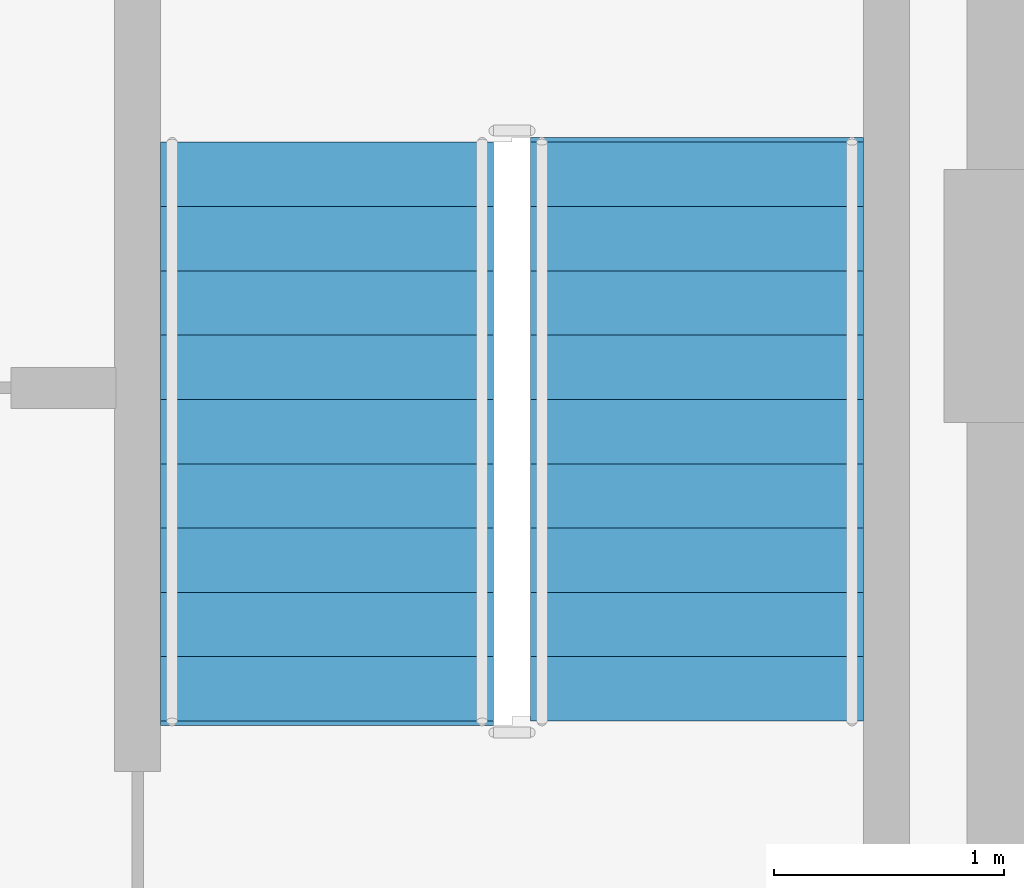
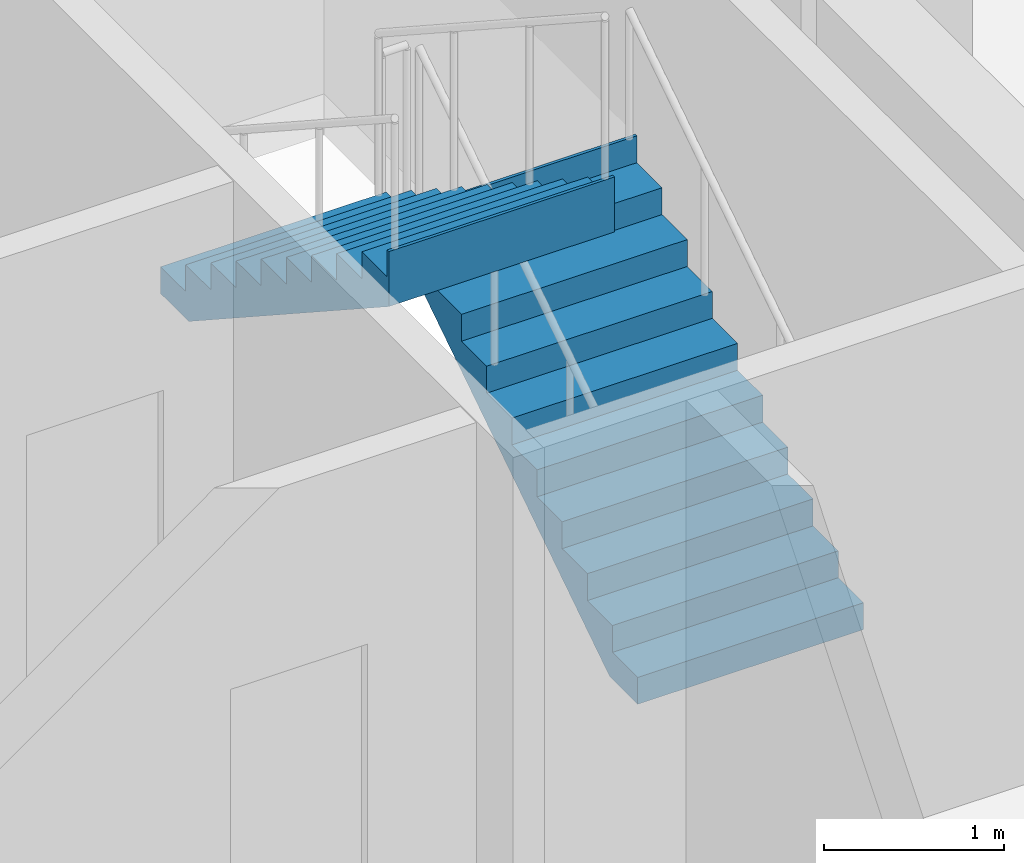
# One storey, part 10 of 14: 2 stair flights, 1 element without a shape of its own.
"""IFC4 building model written with IfcOpenShell, lengths in metres."""

from ifc_helpers import new_model, si_unit, direction, frame, origin, place, context, subcontext, project, spatial, polyline, outline, extrude, material, type_object, element, aggregate, save


model = new_model("IFC4")

# Units and contexts
model_context = context("Model", 3, precision=1e-05, world=origin(), true_north=direction((0.0, 1.0)))
body_context = subcontext(model_context, "Body", "Model", "MODEL_VIEW")
ifc_project = project(units=[si_unit("LENGTHUNIT", "METRE"), si_unit("AREAUNIT", "SQUARE_METRE"), si_unit("VOLUMEUNIT", "CUBIC_METRE"), si_unit("PLANEANGLEUNIT", "RADIAN"), si_unit("MASSUNIT", "GRAM", prefix="KILO")], contexts=[model_context])

# Site, building, storey
site_placement = place(None, origin())
site = spatial("IfcSite", under=ifc_project, at=site_placement, CompositionType="ELEMENT")
building_placement = place(site_placement, origin())
building = spatial("IfcBuilding", under=site, at=building_placement, Name="Nuvemarco Arch Tower", CompositionType="ELEMENT")
storey_placement = place(building_placement, frame((0.0, 0.0, 67.75)))
storey = spatial("IfcBuildingStorey", under=building, at=storey_placement, Name="L17", CompositionType="ELEMENT", Elevation=67.75)

# Stair, stair flights
ifc_material = material(Name="Precast concrete C45/55", Category="concrete")
stair_type = type_object("IfcStairType", Name="ST-CORE-20R", PredefinedType="HALF_TURN_STAIR", material=ifc_material)
stair_placement = place(storey_placement, origin())
stair = element("IfcStair", 1, at=stair_placement, inside=storey, type_object=stair_type, Name="L17 Protected Exit Stair ST-2", PredefinedType="HALF_TURN_STAIR")
stair_flight_type = type_object("IfcStairFlightType", Name="SF-CORE-20R", PredefinedType="STRAIGHT", material=ifc_material)
stair_flight_1_placement = place(storey_placement, frame((15.875, 2.64990234375, 0.0), z_axis=(0.0, 0.0, 1.0), x_axis=(0.0, 1.0, 0.0)))
stair_flight_1 = element("IfcStairFlight", 2, at=stair_flight_1_placement, type_object=stair_flight_type, Name="ST-20R flight 1", NumberOfRisers=10, NumberOfTreads=9, PredefinedType="STRAIGHT", RiserHeight=0.1825, TreadLength=0.28, context=body_context, shape_type="SweptSolid", body=[
    extrude(outline(polyline([(0.0, 0.0), (0.0, 0.1826171875), (0.280029296875, 0.1826171875), (0.280029296875, 0.364990234375), (0.56005859375, 0.364990234375), (0.56005859375, 0.547607421875), (0.840087890625, 0.547607421875), (0.840087890625, 0.72998046875), (1.1201171875, 0.72998046875), (1.1201171875, 0.91259765625), (1.39990234375, 0.91259765625), (1.39990234375, 1.094970703125), (1.679931640625, 1.094970703125), (1.679931640625, 1.277587890625), (1.9599609375, 1.277587890625), (1.9599609375, 1.4599609375), (2.239990234375, 1.4599609375), (2.239990234375, 1.642578125), (2.52001953125, 1.642578125), (2.52001953125, 1.824951171875), (2.5400390625, 1.824951171875), (2.5400390625, 1.45166015625), (0.312744140625, 0.0), (0.0, 0.0)])), frame((0.0, 0.72509765625, 0.0), z_axis=(0.0, -1.0, 0.0), x_axis=(1.0, 0.0, 0.0)), (0.0, 0.0, 1.0), 1.449951171875),
])
stair_flight_2_placement = place(storey_placement, frame((14.264892578125, 5.169921875, 1.824951171875), z_axis=(0.0, 0.0, 1.0), x_axis=(0.0, -1.0, 0.0)))
stair_flight_2 = element("IfcStairFlight", 3, at=stair_flight_2_placement, type_object=stair_flight_type, Name="ST-20R flight 2", NumberOfRisers=10, NumberOfTreads=9, PredefinedType="STRAIGHT", RiserHeight=0.1825, TreadLength=0.28, context=body_context, shape_type="SweptSolid", body=[
    extrude(outline(polyline([(0.0, 0.0), (0.0, 0.1826171875), (0.280029296875, 0.1826171875), (0.280029296875, 0.364990234375), (0.56005859375, 0.364990234375), (0.56005859375, 0.547607421875), (0.840087890625, 0.547607421875), (0.840087890625, 0.72998046875), (1.1201171875, 0.72998046875), (1.1201171875, 0.91259765625), (1.39990234375, 0.91259765625), (1.39990234375, 1.094970703125), (1.679931640625, 1.094970703125), (1.679931640625, 1.277587890625), (1.9599609375, 1.277587890625), (1.9599609375, 1.4599609375), (2.239990234375, 1.4599609375), (2.239990234375, 1.642578125), (2.52001953125, 1.642578125), (2.52001953125, 1.824951171875), (2.5400390625, 1.824951171875), (2.5400390625, 1.45166015625), (0.312744140625, 0.0), (0.0, 0.0)])), frame((0.0, 0.72509765625, 0.0), z_axis=(0.0, -1.0, 0.0), x_axis=(1.0, 0.0, 0.0)), (0.0, 0.0, 1.0), 1.449951171875),
])
aggregate(stair, [stair_flight_1, stair_flight_2])

save(model, "model.ifc")
